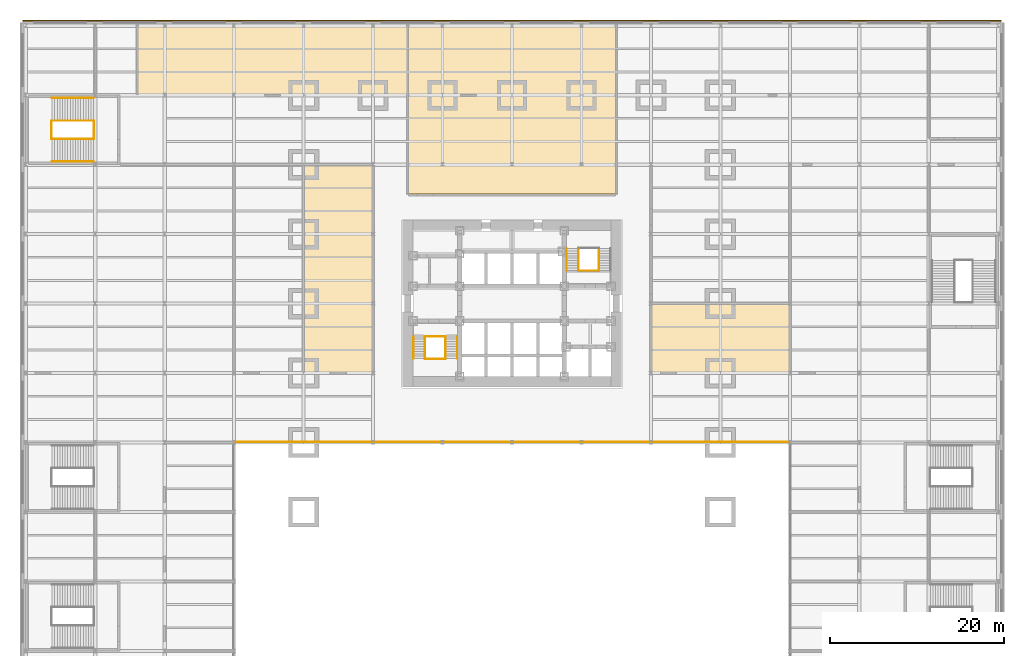
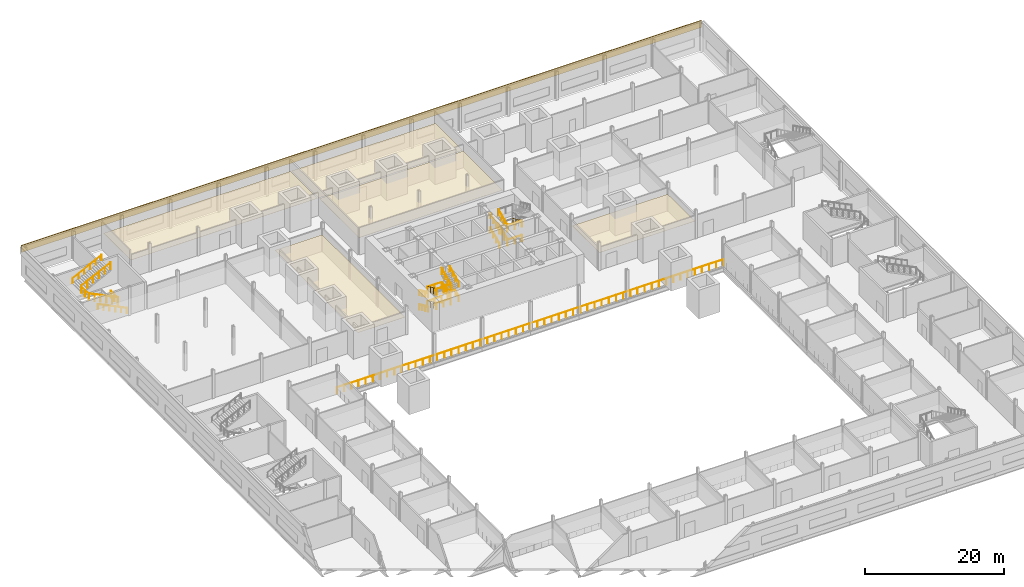
# One storey, part 21 of 22: 27 railings, 6 coverings.
"""IFC4 building model written with IfcOpenShell, lengths in metres."""

from ifc_helpers import new_model, si_unit, direction, frame, origin, origin_2d, place, context, subcontext, project, spatial, polyline, rectangle, circle, outline, extrude, material, layer, layer_set, type_object, element, save


model = new_model("IFC4")

# Units and contexts
model_context = context("Model", 3, precision=1e-05, world=origin(), true_north=direction((0.0, 1.0)))
body_context = subcontext(model_context, "Body", "Model", "MODEL_VIEW")
ifc_project = project(units=[si_unit("LENGTHUNIT", "METRE"), si_unit("AREAUNIT", "SQUARE_METRE"), si_unit("VOLUMEUNIT", "CUBIC_METRE"), si_unit("PLANEANGLEUNIT", "RADIAN"), si_unit("MASSUNIT", "GRAM", prefix="KILO")], contexts=[model_context])

# Site, building, storey
site_placement = place(None, origin())
site = spatial("IfcSite", under=ifc_project, at=site_placement, CompositionType="ELEMENT")
building_placement = place(site_placement, origin())
building = spatial("IfcBuilding", under=site, at=building_placement, Name="Daluyong Arena Tower", CompositionType="ELEMENT")
storey_placement = place(building_placement, frame((0.0, 0.0, 9.89990234375)))
storey = spatial("IfcBuildingStorey", under=building, at=storey_placement, Name="L02", CompositionType="ELEMENT", Elevation=9.89990234375)

# Railing
ifc_material_1 = material(Name="Steel guard with glass infill", Category="steel")
railing_type_1 = type_object("IfcRailingType", Name="Floor edge guard 1100", PredefinedType="GUARDRAIL", material=ifc_material_1)
railing_1_placement = place(storey_placement, frame((88.0, 64.050048828125, 0.0)))
element("IfcRailing", 1, at=railing_1_placement, inside=storey, type_object=railing_type_1, Name="floor edge guard L02", PredefinedType="GUARDRAIL", context=body_context, shape_type="SweptSolid", body=[
    extrude(circle(Radius=0.02392578125, at=origin_2d()), frame((0.0, 0.0, 1.076171875), z_axis=(-1.0, 0.0, 0.0), x_axis=(0.0, -1.0, 0.0)), (0.0, 0.0, 1.0), 64.0),
    extrude(circle(Radius=0.02099609375, at=origin_2d()), origin(), (0.0, 0.0, 1.0), 1.052001953125),
    extrude(circle(Radius=0.02099609375, at=origin_2d()), frame((-1.185302734375, 0.0, 0.0)), (0.0, 0.0, 1.0), 1.052001953125),
    extrude(circle(Radius=0.02099609375, at=origin_2d()), frame((-2.370361328125, 0.0, 0.0)), (0.0, 0.0, 1.0), 1.052001953125),
    extrude(circle(Radius=0.02099609375, at=origin_2d()), frame((-3.5556640625, 0.0, 0.0)), (0.0, 0.0, 1.0), 1.052001953125),
    extrude(circle(Radius=0.02099609375, at=origin_2d()), frame((-4.74072265625, 0.0, 0.0)), (0.0, 0.0, 1.0), 1.052001953125),
    extrude(circle(Radius=0.02099609375, at=origin_2d()), frame((-5.926025390625, 0.0, 0.0)), (0.0, 0.0, 1.0), 1.052001953125),
    extrude(circle(Radius=0.02099609375, at=origin_2d()), frame((-7.111083984375, 0.0, 0.0)), (0.0, 0.0, 1.0), 1.052001953125),
    extrude(circle(Radius=0.02099609375, at=origin_2d()), frame((-8.29638671875, 0.0, 0.0)), (0.0, 0.0, 1.0), 1.052001953125),
    extrude(circle(Radius=0.02099609375, at=origin_2d()), frame((-9.4814453125, 0.0, 0.0)), (0.0, 0.0, 1.0), 1.052001953125),
    extrude(circle(Radius=0.02099609375, at=origin_2d()), frame((-10.666748046875, 0.0, 0.0)), (0.0, 0.0, 1.0), 1.052001953125),
    extrude(circle(Radius=0.02099609375, at=origin_2d()), frame((-11.851806640625, 0.0, 0.0)), (0.0, 0.0, 1.0), 1.052001953125),
    extrude(circle(Radius=0.02099609375, at=origin_2d()), frame((-13.037109375, 0.0, 0.0)), (0.0, 0.0, 1.0), 1.052001953125),
    extrude(circle(Radius=0.02099609375, at=origin_2d()), frame((-14.22216796875, 0.0, 0.0)), (0.0, 0.0, 1.0), 1.052001953125),
    extrude(circle(Radius=0.02099609375, at=origin_2d()), frame((-15.407470703125, 0.0, 0.0)), (0.0, 0.0, 1.0), 1.052001953125),
    extrude(circle(Radius=0.02099609375, at=origin_2d()), frame((-16.592529296875, 0.0, 0.0)), (0.0, 0.0, 1.0), 1.052001953125),
    extrude(circle(Radius=0.02099609375, at=origin_2d()), frame((-17.77783203125, 0.0, 0.0)), (0.0, 0.0, 1.0), 1.052001953125),
    extrude(circle(Radius=0.02099609375, at=origin_2d()), frame((-18.962890625, 0.0, 0.0)), (0.0, 0.0, 1.0), 1.052001953125),
    extrude(circle(Radius=0.02099609375, at=origin_2d()), frame((-20.148193359375, 0.0, 0.0)), (0.0, 0.0, 1.0), 1.052001953125),
    extrude(circle(Radius=0.02099609375, at=origin_2d()), frame((-21.333251953125, 0.0, 0.0)), (0.0, 0.0, 1.0), 1.052001953125),
    extrude(circle(Radius=0.02099609375, at=origin_2d()), frame((-22.5185546875, 0.0, 0.0)), (0.0, 0.0, 1.0), 1.052001953125),
    extrude(circle(Radius=0.02099609375, at=origin_2d()), frame((-23.70361328125, 0.0, 0.0)), (0.0, 0.0, 1.0), 1.052001953125),
    extrude(circle(Radius=0.02099609375, at=origin_2d()), frame((-24.888916015625, 0.0, 0.0)), (0.0, 0.0, 1.0), 1.052001953125),
    extrude(circle(Radius=0.02099609375, at=origin_2d()), frame((-26.073974609375, 0.0, 0.0)), (0.0, 0.0, 1.0), 1.052001953125),
    extrude(circle(Radius=0.02099609375, at=origin_2d()), frame((-27.25927734375, 0.0, 0.0)), (0.0, 0.0, 1.0), 1.052001953125),
    extrude(circle(Radius=0.02099609375, at=origin_2d()), frame((-28.4443359375, 0.0, 0.0)), (0.0, 0.0, 1.0), 1.052001953125),
    extrude(circle(Radius=0.02099609375, at=origin_2d()), frame((-29.629638671875, 0.0, 0.0)), (0.0, 0.0, 1.0), 1.052001953125),
    extrude(circle(Radius=0.02099609375, at=origin_2d()), frame((-30.814697265625, 0.0, 0.0)), (0.0, 0.0, 1.0), 1.052001953125),
    extrude(circle(Radius=0.02099609375, at=origin_2d()), frame((-32.0, 0.0, 0.0)), (0.0, 0.0, 1.0), 1.052001953125),
    extrude(circle(Radius=0.02099609375, at=origin_2d()), frame((-33.185302734375, 0.0, 0.0)), (0.0, 0.0, 1.0), 1.052001953125),
    extrude(circle(Radius=0.02099609375, at=origin_2d()), frame((-34.370361328125, 0.0, 0.0)), (0.0, 0.0, 1.0), 1.052001953125),
    extrude(circle(Radius=0.02099609375, at=origin_2d()), frame((-35.5556640625, 0.0, 0.0)), (0.0, 0.0, 1.0), 1.052001953125),
    extrude(circle(Radius=0.02099609375, at=origin_2d()), frame((-36.74072265625, 0.0, 0.0)), (0.0, 0.0, 1.0), 1.052001953125),
    extrude(circle(Radius=0.02099609375, at=origin_2d()), frame((-37.926025390625, 0.0, 0.0)), (0.0, 0.0, 1.0), 1.052001953125),
    extrude(circle(Radius=0.02099609375, at=origin_2d()), frame((-39.111083984375, 0.0, 0.0)), (0.0, 0.0, 1.0), 1.052001953125),
    extrude(circle(Radius=0.02099609375, at=origin_2d()), frame((-40.29638671875, 0.0, 0.0)), (0.0, 0.0, 1.0), 1.052001953125),
    extrude(circle(Radius=0.02099609375, at=origin_2d()), frame((-41.4814453125, 0.0, 0.0)), (0.0, 0.0, 1.0), 1.052001953125),
    extrude(circle(Radius=0.02099609375, at=origin_2d()), frame((-42.666748046875, 0.0, 0.0)), (0.0, 0.0, 1.0), 1.052001953125),
    extrude(circle(Radius=0.02099609375, at=origin_2d()), frame((-43.851806640625, 0.0, 0.0)), (0.0, 0.0, 1.0), 1.052001953125),
    extrude(circle(Radius=0.02099609375, at=origin_2d()), frame((-45.037109375, 0.0, 0.0)), (0.0, 0.0, 1.0), 1.052001953125),
    extrude(circle(Radius=0.02099609375, at=origin_2d()), frame((-46.22216796875, 0.0, 0.0)), (0.0, 0.0, 1.0), 1.052001953125),
    extrude(circle(Radius=0.02099609375, at=origin_2d()), frame((-47.407470703125, 0.0, 0.0)), (0.0, 0.0, 1.0), 1.052001953125),
    extrude(circle(Radius=0.02099609375, at=origin_2d()), frame((-48.592529296875, 0.0, 0.0)), (0.0, 0.0, 1.0), 1.052001953125),
    extrude(circle(Radius=0.02099609375, at=origin_2d()), frame((-49.77783203125, 0.0, 0.0)), (0.0, 0.0, 1.0), 1.052001953125),
    extrude(circle(Radius=0.02099609375, at=origin_2d()), frame((-50.962890625, 0.0, 0.0)), (0.0, 0.0, 1.0), 1.052001953125),
    extrude(circle(Radius=0.02099609375, at=origin_2d()), frame((-52.148193359375, 0.0, 0.0)), (0.0, 0.0, 1.0), 1.052001953125),
    extrude(circle(Radius=0.02099609375, at=origin_2d()), frame((-53.333251953125, 0.0, 0.0)), (0.0, 0.0, 1.0), 1.052001953125),
    extrude(circle(Radius=0.02099609375, at=origin_2d()), frame((-54.5185546875, 0.0, 0.0)), (0.0, 0.0, 1.0), 1.052001953125),
    extrude(circle(Radius=0.02099609375, at=origin_2d()), frame((-55.70361328125, 0.0, 0.0)), (0.0, 0.0, 1.0), 1.052001953125),
    extrude(circle(Radius=0.02099609375, at=origin_2d()), frame((-56.888916015625, 0.0, 0.0)), (0.0, 0.0, 1.0), 1.052001953125),
    extrude(circle(Radius=0.02099609375, at=origin_2d()), frame((-58.073974609375, 0.0, 0.0)), (0.0, 0.0, 1.0), 1.052001953125),
    extrude(circle(Radius=0.02099609375, at=origin_2d()), frame((-59.25927734375, 0.0, 0.0)), (0.0, 0.0, 1.0), 1.052001953125),
    extrude(circle(Radius=0.02099609375, at=origin_2d()), frame((-60.4443359375, 0.0, 0.0)), (0.0, 0.0, 1.0), 1.052001953125),
    extrude(circle(Radius=0.02099609375, at=origin_2d()), frame((-61.629638671875, 0.0, 0.0)), (0.0, 0.0, 1.0), 1.052001953125),
    extrude(circle(Radius=0.02099609375, at=origin_2d()), frame((-62.814697265625, 0.0, 0.0)), (0.0, 0.0, 1.0), 1.052001953125),
    extrude(circle(Radius=0.02099609375, at=origin_2d()), frame((-64.0, 0.0, 0.0)), (0.0, 0.0, 1.0), 1.052001953125),
])

# Coverings
ifc_material_2 = material(Name="Mineral fibre ceiling tile", Category="gypsum board")
ifc_layer_1 = layer(ifc_material_2, 0.02001953125)
ifc_layer_set_1 = layer_set([ifc_layer_1], Name="Mineral fibre ceiling tile")
covering_type_1 = type_object("IfcCoveringType", Name="Office ceiling", PredefinedType="CEILING", material=ifc_layer_set_1)
covering_1_placement = place(storey_placement, frame((0.0, 0.0, 2.900146484375)))
element("IfcCovering", 2, at=covering_1_placement, inside=storey, type_object=covering_type_1, Name="ceiling L02-41", PredefinedType="CEILING", context=body_context, shape_type="SweptSolid", body=[
    extrude(outline(polyline([(39.89990234375, 72.10009765625), (39.89990234375, 95.89990234375), (32.10009765625, 95.89990234375), (32.10009765625, 72.10009765625), (39.89990234375, 72.10009765625)])), origin(), (0.0, 0.0, 1.0), 0.02001953125),
])
covering_2_placement = place(storey_placement, frame((0.0, 0.0, 2.900146484375)))
element("IfcCovering", 3, at=covering_2_placement, inside=storey, type_object=covering_type_1, Name="ceiling L02-42", PredefinedType="CEILING", context=body_context, shape_type="SweptSolid", body=[
    extrude(outline(polyline([(87.89990234375, 72.10009765625), (87.89990234375, 79.89990234375), (72.10009765625, 79.89990234375), (72.10009765625, 72.10009765625), (87.89990234375, 72.10009765625)])), origin(), (0.0, 0.0, 1.0), 0.02001953125),
])
covering_3_placement = place(storey_placement, frame((0.0, 0.0, 2.900146484375)))
element("IfcCovering", 4, at=covering_3_placement, inside=storey, type_object=covering_type_1, Name="ceiling L02-48", PredefinedType="CEILING", context=body_context, shape_type="SweptSolid", body=[
    extrude(outline(polyline([(43.89990234375, 104.10009765625), (43.89990234375, 111.89990234375), (12.949951171875, 111.89990234375), (12.949951171875, 104.10009765625), (43.89990234375, 104.10009765625)])), origin(), (0.0, 0.0, 1.0), 0.02001953125),
])
covering_4_placement = place(storey_placement, frame((0.0, 0.0, 2.900146484375)))
element("IfcCovering", 5, at=covering_4_placement, inside=storey, type_object=covering_type_1, Name="ceiling L02-50", PredefinedType="CEILING", context=body_context, shape_type="SweptSolid", body=[
    extrude(outline(polyline([(67.89990234375, 92.60009765625), (67.89990234375, 103.89990234375), (44.10009765625, 103.89990234375), (44.10009765625, 92.60009765625), (67.89990234375, 92.60009765625)])), origin(), (0.0, 0.0, 1.0), 0.02001953125),
])
covering_5_placement = place(storey_placement, frame((0.0, 0.0, 2.900146484375)))
element("IfcCovering", 6, at=covering_5_placement, inside=storey, type_object=covering_type_1, Name="ceiling L02-51", PredefinedType="CEILING", context=body_context, shape_type="SweptSolid", body=[
    extrude(outline(polyline([(67.89990234375, 104.10009765625), (67.89990234375, 111.89990234375), (44.10009765625, 111.89990234375), (44.10009765625, 104.10009765625), (67.89990234375, 104.10009765625)])), origin(), (0.0, 0.0, 1.0), 0.02001953125),
])
ifc_material_3 = material(Name="Red-pigmented glass fibre reinforced concrete", Category="concrete")
ifc_layer_2 = layer(ifc_material_3, 0.14990234375)
ifc_layer_set_2 = layer_set([ifc_layer_2], Name="Red-pigmented glass fibre reinforced concrete")
covering_type_2 = type_object("IfcCoveringType", Name="Podium band cladding", PredefinedType="CLADDING", material=ifc_layer_set_2)
covering_6_placement = place(storey_placement, frame((56.0, 112.574951171875, 3.80029296875), z_axis=(0.0, 0.0, 1.0), x_axis=(-1.0, 0.0, 0.0)))
element("IfcCovering", 7, at=covering_6_placement, inside=storey, type_object=covering_type_2, Name="podium band N L02", PredefinedType="CLADDING", context=body_context, shape_type="SweptSolid", body=[
    extrude(rectangle(XDim=112.699951171875, YDim=0.14990234375, at=origin_2d()), origin(), (0.0, 0.0, 1.0), 1.199951171875),
])

# Railings
ifc_material_4 = material(Name="Stainless steel handrail", Category="steel")
railing_type_2 = type_object("IfcRailingType", Name="Stair handrail", PredefinedType="HANDRAIL", material=ifc_material_4)
railing_2_placement = place(storey_placement, frame((44.64990234375, 76.175048828125, 0.125)))
element("IfcRailing", 8, at=railing_2_placement, inside=storey, type_object=railing_type_2, Name="exit stair A handrail L02", PredefinedType="HANDRAIL", context=body_context, shape_type="SweptSolid", body=[
    extrude(circle(Radius=0.02392578125, at=origin_2d()), frame((0.0, 0.0, 0.8759765625), z_axis=(0.0, -0.913139058521, 0.407648205936), x_axis=(1.0, 0.0, 0.0)), (0.0, 0.0, 1.0), 2.759765625),
    extrude(circle(Radius=0.02099609375, at=origin_2d()), origin(), (0.0, 0.0, 1.0), 0.851806640625),
    extrude(circle(Radius=0.02099609375, at=origin_2d()), frame((0.0, -0.840087890625, 0.375)), (0.0, 0.0, 1.0), 0.851806640625),
    extrude(circle(Radius=0.02099609375, at=origin_2d()), frame((0.0, -1.679931640625, 0.75)), (0.0, 0.0, 1.0), 0.851806640625),
    extrude(circle(Radius=0.02099609375, at=origin_2d()), frame((0.0, -2.52001953125, 1.125)), (0.0, 0.0, 1.0), 0.851806640625),
])
railing_3_placement = place(storey_placement, frame((49.699951171875, 73.655029296875, 1.375)))
element("IfcRailing", 9, at=railing_3_placement, inside=storey, type_object=railing_type_2, Name="exit stair A handrail L02", PredefinedType="HANDRAIL", context=body_context, shape_type="SweptSolid", body=[
    extrude(circle(Radius=0.02392578125, at=origin_2d()), frame((0.0, 0.0, 0.8759765625), z_axis=(0.0, 0.913139058521, 0.407648205936), x_axis=(-1.0, 0.0, 0.0)), (0.0, 0.0, 1.0), 2.759765625),
    extrude(circle(Radius=0.02099609375, at=origin_2d()), origin(), (0.0, 0.0, 1.0), 0.851806640625),
    extrude(circle(Radius=0.02099609375, at=origin_2d()), frame((0.0, 0.840087890625, 0.375)), (0.0, 0.0, 1.0), 0.851806640625),
    extrude(circle(Radius=0.02099609375, at=origin_2d()), frame((0.0, 1.679931640625, 0.75)), (0.0, 0.0, 1.0), 0.851806640625),
    extrude(circle(Radius=0.02099609375, at=origin_2d()), frame((0.0, 2.52001953125, 1.125)), (0.0, 0.0, 1.0), 0.851806640625),
])
railing_4_placement = place(storey_placement, frame((44.64990234375, 76.175048828125, 2.625)))
element("IfcRailing", 10, at=railing_4_placement, inside=storey, type_object=railing_type_2, Name="exit stair A handrail L02", PredefinedType="HANDRAIL", context=body_context, shape_type="SweptSolid", body=[
    extrude(circle(Radius=0.02392578125, at=origin_2d()), frame((0.0, 0.0, 0.8759765625), z_axis=(0.0, -0.913139058521, 0.407648205936), x_axis=(1.0, 0.0, 0.0)), (0.0, 0.0, 1.0), 2.759765625),
    extrude(circle(Radius=0.02099609375, at=origin_2d()), origin(), (0.0, 0.0, 1.0), 0.851806640625),
    extrude(circle(Radius=0.02099609375, at=origin_2d()), frame((0.0, -0.840087890625, 0.375)), (0.0, 0.0, 1.0), 0.851806640625),
    extrude(circle(Radius=0.02099609375, at=origin_2d()), frame((0.0, -1.679931640625, 0.75)), (0.0, 0.0, 1.0), 0.851806640625),
    extrude(circle(Radius=0.02099609375, at=origin_2d()), frame((0.0, -2.52001953125, 1.125)), (0.0, 0.0, 1.0), 0.851806640625),
])
for number, where, name in (
    (11, (49.699951171875, 73.655029296875, 3.875), "exit stair A handrail L02"),
    (12, (62.300048828125, 83.824951171875, 0.125), "exit stair B handrail L02"),
    (13, (62.300048828125, 83.824951171875, 2.625), "exit stair B handrail L02"),
):
    element("IfcRailing", number, at=place(storey_placement, frame(where)), inside=storey, type_object=railing_type_2, Name=name, PredefinedType="HANDRAIL", context=body_context, shape_type="SweptSolid", body=[
        extrude(circle(Radius=0.02392578125, at=origin_2d()), frame((0.0, 0.0, 0.8759765625), z_axis=(0.0, 0.913139058521, 0.407648205936), x_axis=(-1.0, 0.0, 0.0)), (0.0, 0.0, 1.0), 2.759765625),
        extrude(circle(Radius=0.02099609375, at=origin_2d()), origin(), (0.0, 0.0, 1.0), 0.851806640625),
        extrude(circle(Radius=0.02099609375, at=origin_2d()), frame((0.0, 0.840087890625, 0.375)), (0.0, 0.0, 1.0), 0.851806640625),
        extrude(circle(Radius=0.02099609375, at=origin_2d()), frame((0.0, 1.679931640625, 0.75)), (0.0, 0.0, 1.0), 0.851806640625),
        extrude(circle(Radius=0.02099609375, at=origin_2d()), frame((0.0, 2.52001953125, 1.125)), (0.0, 0.0, 1.0), 0.851806640625),
    ])
railing_5_placement = place(storey_placement, frame((7.840087890625, 96.35009765625, 0.147216796875)))
element("IfcRailing", 14, at=railing_5_placement, inside=storey, type_object=railing_type_2, Name="exit stair PS5 handrail L02", PredefinedType="HANDRAIL", context=body_context, shape_type="SweptSolid", body=[
    extrude(circle(Radius=0.02392578125, at=origin_2d()), frame((0.0, 0.0, 0.8759765625), z_axis=(-0.89793417156, 0.0, 0.440129780343), x_axis=(0.0, -1.0, 0.0)), (0.0, 0.0, 1.0), 5.345703125),
    extrude(circle(Radius=0.02099609375, at=origin_2d()), origin(), (0.0, 0.0, 1.0), 0.851806640625),
    extrude(circle(Radius=0.02099609375, at=origin_2d()), frame((-0.9599609375, 0.0, 0.470458984375)), (0.0, 0.0, 1.0), 0.851806640625),
    extrude(circle(Radius=0.02099609375, at=origin_2d()), frame((-1.919921875, 0.0, 0.941162109375)), (0.0, 0.0, 1.0), 0.851806640625),
    extrude(circle(Radius=0.02099609375, at=origin_2d()), frame((-2.880126953125, 0.0, 1.41162109375)), (0.0, 0.0, 1.0), 0.851806640625),
    extrude(circle(Radius=0.02099609375, at=origin_2d()), frame((-3.840087890625, 0.0, 1.88232421875)), (0.0, 0.0, 1.0), 0.851806640625),
    extrude(circle(Radius=0.02099609375, at=origin_2d()), frame((-4.800048828125, 0.0, 2.352783203125)), (0.0, 0.0, 1.0), 0.851806640625),
])
railing_6_placement = place(storey_placement, frame((3.0400390625, 103.64990234375, 2.647216796875)))
element("IfcRailing", 15, at=railing_6_placement, inside=storey, type_object=railing_type_2, Name="exit stair PS5 handrail L02", PredefinedType="HANDRAIL", context=body_context, shape_type="SweptSolid", body=[
    extrude(circle(Radius=0.02392578125, at=origin_2d()), frame((0.0, 0.0, 0.8759765625), z_axis=(0.89793417156, 0.0, 0.440129780343), x_axis=(0.0, 1.0, 0.0)), (0.0, 0.0, 1.0), 5.345703125),
    extrude(circle(Radius=0.02099609375, at=origin_2d()), origin(), (0.0, 0.0, 1.0), 0.851806640625),
    extrude(circle(Radius=0.02099609375, at=origin_2d()), frame((0.9599609375, 0.0, 0.470458984375)), (0.0, 0.0, 1.0), 0.851806640625),
    extrude(circle(Radius=0.02099609375, at=origin_2d()), frame((1.919921875, 0.0, 0.941162109375)), (0.0, 0.0, 1.0), 0.851806640625),
    extrude(circle(Radius=0.02099609375, at=origin_2d()), frame((2.880126953125, 0.0, 1.41162109375)), (0.0, 0.0, 1.0), 0.851806640625),
    extrude(circle(Radius=0.02099609375, at=origin_2d()), frame((3.840087890625, 0.0, 1.88232421875)), (0.0, 0.0, 1.0), 0.851806640625),
    extrude(circle(Radius=0.02099609375, at=origin_2d()), frame((4.800048828125, 0.0, 2.352783203125)), (0.0, 0.0, 1.0), 0.851806640625),
])
ifc_material_5 = material(Name="Steel balustrade", Category="steel")
railing_type_3 = type_object("IfcRailingType", Name="Stair well guard 1100", PredefinedType="GUARDRAIL", material=ifc_material_5)
railing_7_placement = place(storey_placement, frame((46.0, 76.175048828125, 0.125)))
element("IfcRailing", 16, at=railing_7_placement, inside=storey, type_object=railing_type_3, Name="exit stair A well guard L02", PredefinedType="GUARDRAIL", context=body_context, shape_type="SweptSolid", body=[
    extrude(circle(Radius=0.02392578125, at=origin_2d()), frame((0.0, 0.0, 1.076171875), z_axis=(0.0, -0.913139058521, 0.407648205936), x_axis=(1.0, 0.0, 0.0)), (0.0, 0.0, 1.0), 2.759765625),
    extrude(circle(Radius=0.02099609375, at=origin_2d()), origin(), (0.0, 0.0, 1.0), 1.052001953125),
    extrude(circle(Radius=0.02099609375, at=origin_2d()), frame((0.0, -0.840087890625, 0.375)), (0.0, 0.0, 1.0), 1.052001953125),
    extrude(circle(Radius=0.02099609375, at=origin_2d()), frame((0.0, -1.679931640625, 0.75)), (0.0, 0.0, 1.0), 1.052001953125),
    extrude(circle(Radius=0.02099609375, at=origin_2d()), frame((0.0, -2.52001953125, 1.125)), (0.0, 0.0, 1.0), 1.052001953125),
])
railing_8_placement = place(storey_placement, frame((48.35009765625, 73.655029296875, 1.375)))
element("IfcRailing", 17, at=railing_8_placement, inside=storey, type_object=railing_type_3, Name="exit stair A well guard L02", PredefinedType="GUARDRAIL", context=body_context, shape_type="SweptSolid", body=[
    extrude(circle(Radius=0.02392578125, at=origin_2d()), frame((0.0, 0.0, 1.076171875), z_axis=(0.0, 0.913139058521, 0.407648205936), x_axis=(-1.0, 0.0, 0.0)), (0.0, 0.0, 1.0), 2.759765625),
    extrude(circle(Radius=0.02099609375, at=origin_2d()), origin(), (0.0, 0.0, 1.0), 1.052001953125),
    extrude(circle(Radius=0.02099609375, at=origin_2d()), frame((0.0, 0.840087890625, 0.375)), (0.0, 0.0, 1.0), 1.052001953125),
    extrude(circle(Radius=0.02099609375, at=origin_2d()), frame((0.0, 1.679931640625, 0.75)), (0.0, 0.0, 1.0), 1.052001953125),
    extrude(circle(Radius=0.02099609375, at=origin_2d()), frame((0.0, 2.52001953125, 1.125)), (0.0, 0.0, 1.0), 1.052001953125),
])
railing_9_placement = place(storey_placement, frame((46.0, 76.175048828125, 2.625)))
element("IfcRailing", 18, at=railing_9_placement, inside=storey, type_object=railing_type_3, Name="exit stair A well guard L02", PredefinedType="GUARDRAIL", context=body_context, shape_type="SweptSolid", body=[
    extrude(circle(Radius=0.02392578125, at=origin_2d()), frame((0.0, 0.0, 1.076171875), z_axis=(0.0, -0.913139058521, 0.407648205936), x_axis=(1.0, 0.0, 0.0)), (0.0, 0.0, 1.0), 2.759765625),
    extrude(circle(Radius=0.02099609375, at=origin_2d()), origin(), (0.0, 0.0, 1.0), 1.052001953125),
    extrude(circle(Radius=0.02099609375, at=origin_2d()), frame((0.0, -0.840087890625, 0.375)), (0.0, 0.0, 1.0), 1.052001953125),
    extrude(circle(Radius=0.02099609375, at=origin_2d()), frame((0.0, -1.679931640625, 0.75)), (0.0, 0.0, 1.0), 1.052001953125),
    extrude(circle(Radius=0.02099609375, at=origin_2d()), frame((0.0, -2.52001953125, 1.125)), (0.0, 0.0, 1.0), 1.052001953125),
])
railing_10_placement = place(storey_placement, frame((48.35009765625, 73.655029296875, 3.875)))
element("IfcRailing", 19, at=railing_10_placement, inside=storey, type_object=railing_type_3, Name="exit stair A well guard L02", PredefinedType="GUARDRAIL", context=body_context, shape_type="SweptSolid", body=[
    extrude(circle(Radius=0.02392578125, at=origin_2d()), frame((0.0, 0.0, 1.076171875), z_axis=(0.0, 0.913139058521, 0.407648205936), x_axis=(-1.0, 0.0, 0.0)), (0.0, 0.0, 1.0), 2.759765625),
    extrude(circle(Radius=0.02099609375, at=origin_2d()), origin(), (0.0, 0.0, 1.0), 1.052001953125),
    extrude(circle(Radius=0.02099609375, at=origin_2d()), frame((0.0, 0.840087890625, 0.375)), (0.0, 0.0, 1.0), 1.052001953125),
    extrude(circle(Radius=0.02099609375, at=origin_2d()), frame((0.0, 1.679931640625, 0.75)), (0.0, 0.0, 1.0), 1.052001953125),
    extrude(circle(Radius=0.02099609375, at=origin_2d()), frame((0.0, 2.52001953125, 1.125)), (0.0, 0.0, 1.0), 1.052001953125),
])
for number, where, name in (
    (20, (46.0, 73.60498046875, 1.25), "exit stair A landing guard L02"),
    (21, (46.0, 76.22509765625, 2.5), "exit stair A landing guard L02"),
    (22, (46.0, 73.60498046875, 3.75), "exit stair A landing guard L02"),
):
    element("IfcRailing", number, at=place(storey_placement, frame(where)), inside=storey, type_object=railing_type_3, Name=name, PredefinedType="GUARDRAIL", context=body_context, shape_type="SweptSolid", body=[
        extrude(circle(Radius=0.02392578125, at=origin_2d()), frame((0.0, 0.0, 1.076171875), z_axis=(1.0, 0.0, 0.0), x_axis=(0.0, 1.0, 0.0)), (0.0, 0.0, 1.0), 2.35009765625),
        extrude(circle(Radius=0.02099609375, at=origin_2d()), origin(), (0.0, 0.0, 1.0), 1.052001953125),
        extrude(circle(Radius=0.02099609375, at=origin_2d()), frame((1.175048828125, 0.0, 0.0)), (0.0, 0.0, 1.0), 1.052001953125),
        extrude(circle(Radius=0.02099609375, at=origin_2d()), frame((2.35009765625, 0.0, 0.0)), (0.0, 0.0, 1.0), 1.052001953125),
    ])
railing_11_placement = place(storey_placement, frame((48.35009765625, 73.60498046875, 2.5)))
element("IfcRailing", 23, at=railing_11_placement, inside=storey, type_object=railing_type_3, Name="exit stair A landing guard L02", PredefinedType="GUARDRAIL", context=body_context, shape_type="SweptSolid", body=[
    extrude(circle(Radius=0.02392578125, at=origin_2d()), frame((0.0, 0.0, 1.076171875), z_axis=(0.0, 1.0, 0.0), x_axis=(-1.0, 0.0, 0.0)), (0.0, 0.0, 1.0), 2.570068359375),
    extrude(circle(Radius=0.02099609375, at=origin_2d()), origin(), (0.0, 0.0, 1.0), 1.052001953125),
    extrude(circle(Radius=0.02099609375, at=origin_2d()), frame((0.0, 0.856689453125, 0.0)), (0.0, 0.0, 1.0), 1.052001953125),
    extrude(circle(Radius=0.02099609375, at=origin_2d()), frame((0.0, 1.71337890625, 0.0)), (0.0, 0.0, 1.0), 1.052001953125),
    extrude(circle(Radius=0.02099609375, at=origin_2d()), frame((0.0, 2.570068359375, 0.0)), (0.0, 0.0, 1.0), 1.052001953125),
])
railing_12_placement = place(storey_placement, frame((46.0, 76.22509765625, 0.0)))
element("IfcRailing", 24, at=railing_12_placement, inside=storey, type_object=railing_type_3, Name="exit stair A floor landing guard L02", PredefinedType="GUARDRAIL", context=body_context, shape_type="SweptSolid", body=[
    extrude(circle(Radius=0.02392578125, at=origin_2d()), frame((0.0, 0.0, 1.076171875), z_axis=(1.0, 0.0, 0.0), x_axis=(0.0, 1.0, 0.0)), (0.0, 0.0, 1.0), 2.35009765625),
    extrude(circle(Radius=0.02099609375, at=origin_2d()), origin(), (0.0, 0.0, 1.0), 1.052001953125),
    extrude(circle(Radius=0.02099609375, at=origin_2d()), frame((1.175048828125, 0.0, 0.0)), (0.0, 0.0, 1.0), 1.052001953125),
    extrude(circle(Radius=0.02099609375, at=origin_2d()), frame((2.35009765625, 0.0, 0.0)), (0.0, 0.0, 1.0), 1.052001953125),
])
railing_13_placement = place(storey_placement, frame((63.64990234375, 83.824951171875, 0.125)))
element("IfcRailing", 25, at=railing_13_placement, inside=storey, type_object=railing_type_3, Name="exit stair B well guard L02", PredefinedType="GUARDRAIL", context=body_context, shape_type="SweptSolid", body=[
    extrude(circle(Radius=0.02392578125, at=origin_2d()), frame((0.0, 0.0, 1.076171875), z_axis=(0.0, 0.913139058521, 0.407648205936), x_axis=(-1.0, 0.0, 0.0)), (0.0, 0.0, 1.0), 2.759765625),
    extrude(circle(Radius=0.02099609375, at=origin_2d()), origin(), (0.0, 0.0, 1.0), 1.052001953125),
    extrude(circle(Radius=0.02099609375, at=origin_2d()), frame((0.0, 0.840087890625, 0.375)), (0.0, 0.0, 1.0), 1.052001953125),
    extrude(circle(Radius=0.02099609375, at=origin_2d()), frame((0.0, 1.679931640625, 0.75)), (0.0, 0.0, 1.0), 1.052001953125),
    extrude(circle(Radius=0.02099609375, at=origin_2d()), frame((0.0, 2.52001953125, 1.125)), (0.0, 0.0, 1.0), 1.052001953125),
])
railing_14_placement = place(storey_placement, frame((66.0, 86.344970703125, 1.375)))
element("IfcRailing", 26, at=railing_14_placement, inside=storey, type_object=railing_type_3, Name="exit stair B well guard L02", PredefinedType="GUARDRAIL", context=body_context, shape_type="SweptSolid", body=[
    extrude(circle(Radius=0.02392578125, at=origin_2d()), frame((0.0, 0.0, 1.076171875), z_axis=(0.0, -0.913139058521, 0.407648205936), x_axis=(1.0, 0.0, 0.0)), (0.0, 0.0, 1.0), 2.759765625),
    extrude(circle(Radius=0.02099609375, at=origin_2d()), origin(), (0.0, 0.0, 1.0), 1.052001953125),
    extrude(circle(Radius=0.02099609375, at=origin_2d()), frame((0.0, -0.840087890625, 0.375)), (0.0, 0.0, 1.0), 1.052001953125),
    extrude(circle(Radius=0.02099609375, at=origin_2d()), frame((0.0, -1.679931640625, 0.75)), (0.0, 0.0, 1.0), 1.052001953125),
    extrude(circle(Radius=0.02099609375, at=origin_2d()), frame((0.0, -2.52001953125, 1.125)), (0.0, 0.0, 1.0), 1.052001953125),
])
railing_15_placement = place(storey_placement, frame((63.64990234375, 83.824951171875, 2.625)))
element("IfcRailing", 27, at=railing_15_placement, inside=storey, type_object=railing_type_3, Name="exit stair B well guard L02", PredefinedType="GUARDRAIL", context=body_context, shape_type="SweptSolid", body=[
    extrude(circle(Radius=0.02392578125, at=origin_2d()), frame((0.0, 0.0, 1.076171875), z_axis=(0.0, 0.913139058521, 0.407648205936), x_axis=(-1.0, 0.0, 0.0)), (0.0, 0.0, 1.0), 2.759765625),
    extrude(circle(Radius=0.02099609375, at=origin_2d()), origin(), (0.0, 0.0, 1.0), 1.052001953125),
    extrude(circle(Radius=0.02099609375, at=origin_2d()), frame((0.0, 0.840087890625, 0.375)), (0.0, 0.0, 1.0), 1.052001953125),
    extrude(circle(Radius=0.02099609375, at=origin_2d()), frame((0.0, 1.679931640625, 0.75)), (0.0, 0.0, 1.0), 1.052001953125),
    extrude(circle(Radius=0.02099609375, at=origin_2d()), frame((0.0, 2.52001953125, 1.125)), (0.0, 0.0, 1.0), 1.052001953125),
])
for number, where, name in (
    (28, (63.64990234375, 83.77490234375, 2.5), "exit stair B landing guard L02"),
    (29, (63.64990234375, 83.77490234375, 0.0), "exit stair B floor landing guard L02"),
):
    element("IfcRailing", number, at=place(storey_placement, frame(where)), inside=storey, type_object=railing_type_3, Name=name, PredefinedType="GUARDRAIL", context=body_context, shape_type="SweptSolid", body=[
        extrude(circle(Radius=0.02392578125, at=origin_2d()), frame((0.0, 0.0, 1.076171875), z_axis=(1.0, 0.0, 0.0), x_axis=(0.0, 1.0, 0.0)), (0.0, 0.0, 1.0), 2.35009765625),
        extrude(circle(Radius=0.02099609375, at=origin_2d()), origin(), (0.0, 0.0, 1.0), 1.052001953125),
        extrude(circle(Radius=0.02099609375, at=origin_2d()), frame((1.175048828125, 0.0, 0.0)), (0.0, 0.0, 1.0), 1.052001953125),
        extrude(circle(Radius=0.02099609375, at=origin_2d()), frame((2.35009765625, 0.0, 0.0)), (0.0, 0.0, 1.0), 1.052001953125),
    ])
ifc_material_6 = material(Name="Steel balustrade", Category="steel")
railing_type_4 = type_object("IfcRailingType", Name="Stair well guard 1200", PredefinedType="GUARDRAIL", material=ifc_material_6)
railing_16_placement = place(storey_placement, frame((7.840087890625, 98.949951171875, 0.147216796875)))
element("IfcRailing", 30, at=railing_16_placement, inside=storey, type_object=railing_type_4, Name="exit stair PS5 well guard L02", PredefinedType="GUARDRAIL", context=body_context, shape_type="SweptSolid", body=[
    extrude(circle(Radius=0.02392578125, at=origin_2d()), frame((0.0, 0.0, 1.17578125), z_axis=(-0.89793417156, 0.0, 0.440129780343), x_axis=(0.0, -1.0, 0.0)), (0.0, 0.0, 1.0), 5.345703125),
    extrude(circle(Radius=0.02099609375, at=origin_2d()), origin(), (0.0, 0.0, 1.0), 1.15185546875),
    extrude(circle(Radius=0.02099609375, at=origin_2d()), frame((-0.9599609375, 0.0, 0.470458984375)), (0.0, 0.0, 1.0), 1.15185546875),
    extrude(circle(Radius=0.02099609375, at=origin_2d()), frame((-1.919921875, 0.0, 0.941162109375)), (0.0, 0.0, 1.0), 1.15185546875),
    extrude(circle(Radius=0.02099609375, at=origin_2d()), frame((-2.880126953125, 0.0, 1.41162109375)), (0.0, 0.0, 1.0), 1.15185546875),
    extrude(circle(Radius=0.02099609375, at=origin_2d()), frame((-3.840087890625, 0.0, 1.88232421875)), (0.0, 0.0, 1.0), 1.15185546875),
    extrude(circle(Radius=0.02099609375, at=origin_2d()), frame((-4.800048828125, 0.0, 2.352783203125)), (0.0, 0.0, 1.0), 1.15185546875),
])
railing_17_placement = place(storey_placement, frame((3.0400390625, 101.050048828125, 2.647216796875)))
element("IfcRailing", 31, at=railing_17_placement, inside=storey, type_object=railing_type_4, Name="exit stair PS5 well guard L02", PredefinedType="GUARDRAIL", context=body_context, shape_type="SweptSolid", body=[
    extrude(circle(Radius=0.02392578125, at=origin_2d()), frame((0.0, 0.0, 1.17578125), z_axis=(0.89793417156, 0.0, 0.440129780343), x_axis=(0.0, 1.0, 0.0)), (0.0, 0.0, 1.0), 5.345703125),
    extrude(circle(Radius=0.02099609375, at=origin_2d()), origin(), (0.0, 0.0, 1.0), 1.15185546875),
    extrude(circle(Radius=0.02099609375, at=origin_2d()), frame((0.9599609375, 0.0, 0.470458984375)), (0.0, 0.0, 1.0), 1.15185546875),
    extrude(circle(Radius=0.02099609375, at=origin_2d()), frame((1.919921875, 0.0, 0.941162109375)), (0.0, 0.0, 1.0), 1.15185546875),
    extrude(circle(Radius=0.02099609375, at=origin_2d()), frame((2.880126953125, 0.0, 1.41162109375)), (0.0, 0.0, 1.0), 1.15185546875),
    extrude(circle(Radius=0.02099609375, at=origin_2d()), frame((3.840087890625, 0.0, 1.88232421875)), (0.0, 0.0, 1.0), 1.15185546875),
    extrude(circle(Radius=0.02099609375, at=origin_2d()), frame((4.800048828125, 0.0, 2.352783203125)), (0.0, 0.0, 1.0), 1.15185546875),
])
for number, where, name in (
    (32, (2.989990234375, 98.949951171875, 2.5), "exit stair PS5 landing guard L02"),
    (33, (7.889892578125, 98.949951171875, 0.0), "exit stair PS5 floor landing guard L02"),
):
    element("IfcRailing", number, at=place(storey_placement, frame(where)), inside=storey, type_object=railing_type_4, Name=name, PredefinedType="GUARDRAIL", context=body_context, shape_type="SweptSolid", body=[
        extrude(circle(Radius=0.02392578125, at=origin_2d()), frame((0.0, 0.0, 1.17578125), z_axis=(0.0, 1.0, 0.0), x_axis=(-1.0, 0.0, 0.0)), (0.0, 0.0, 1.0), 2.10009765625),
        extrude(circle(Radius=0.02099609375, at=origin_2d()), origin(), (0.0, 0.0, 1.0), 1.15185546875),
        extrude(circle(Radius=0.02099609375, at=origin_2d()), frame((0.0, 1.050048828125, 0.0)), (0.0, 0.0, 1.0), 1.15185546875),
        extrude(circle(Radius=0.02099609375, at=origin_2d()), frame((0.0, 2.10009765625, 0.0)), (0.0, 0.0, 1.0), 1.15185546875),
    ])

save(model, "model.ifc")
